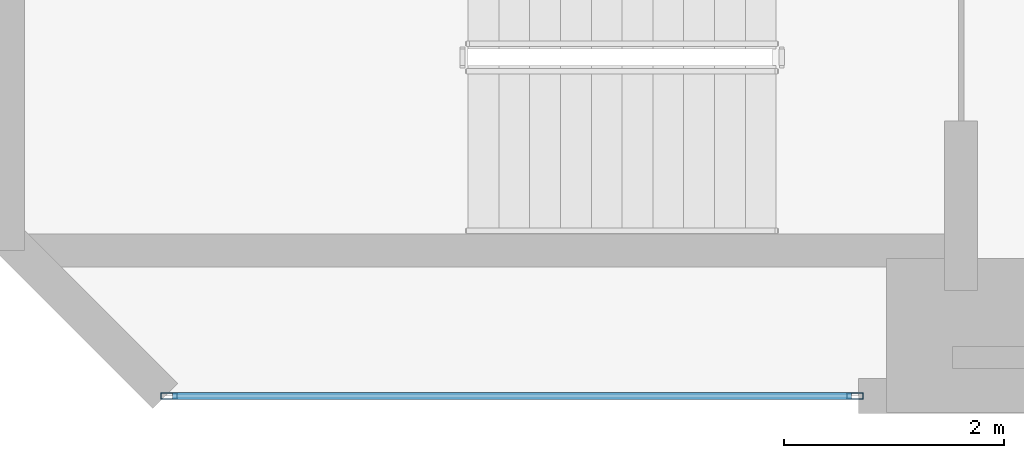
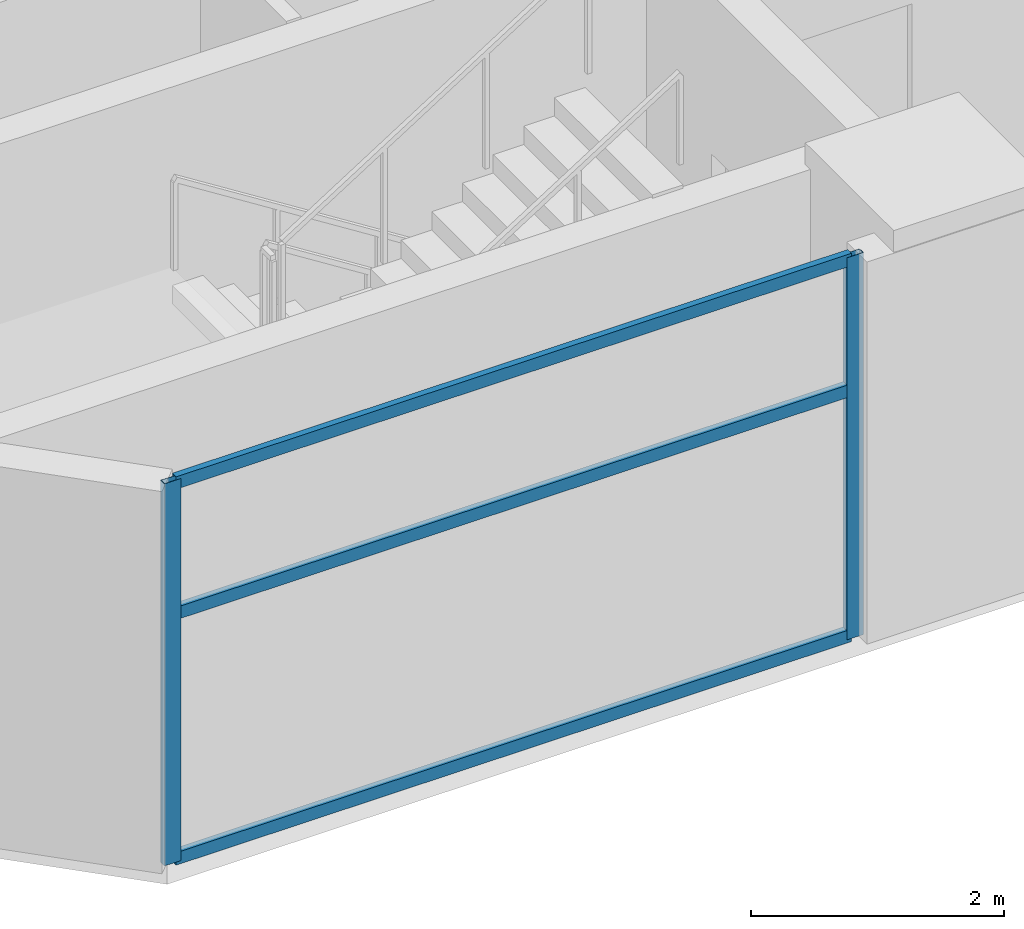
# One storey, part 2 of 16: 5 members, 1 element without a shape of its own.
"""IFC4 building model written with IfcOpenShell, lengths in metres."""

from ifc_helpers import new_model, si_unit, direction, frame, origin, origin_2d, place, context, subcontext, project, spatial, hollow_rectangle, extrude, material, layer, layer_set, material_profile, profile_set, type_object, element, aggregate, save


model = new_model("IFC4")

# Units and contexts
model_context = context("Model", 3, precision=1e-05, world=origin(), true_north=direction((0.0, 1.0)))
body_context = subcontext(model_context, "Body", "Model", "MODEL_VIEW")
ifc_project = project(units=[si_unit("LENGTHUNIT", "METRE"), si_unit("AREAUNIT", "SQUARE_METRE"), si_unit("VOLUMEUNIT", "CUBIC_METRE"), si_unit("PLANEANGLEUNIT", "RADIAN"), si_unit("MASSUNIT", "GRAM", prefix="KILO")], contexts=[model_context])

# Site, building, storey
site_placement = place(None, origin())
site = spatial("IfcSite", under=ifc_project, at=site_placement, CompositionType="ELEMENT")
building_placement = place(site_placement, origin())
building = spatial("IfcBuilding", under=site, at=building_placement, Name="Mawjaban Terraces University", CompositionType="ELEMENT")
storey_placement = place(building_placement, frame((0.0, 0.0, 38.800048828125)))
storey = spatial("IfcBuildingStorey", under=building, at=storey_placement, Name="L08", CompositionType="ELEMENT", Elevation=38.800048828125)

# Curtain wall, members
ifc_material_1 = material(Name="Anodised aluminium 6063-T6 and solar-control low-E glass", Category="aluminium")
ifc_layer = layer(ifc_material_1, 0.1650390625)
ifc_layer_set = layer_set([ifc_layer], Name="Anodised aluminium 6063-T6 and solar-control low-E glass")
curtain_wall_type = type_object("IfcCurtainWallType", Name="CWSystem_04_EastWing", PredefinedType="NOTDEFINED", material=ifc_layer_set)
curtain_wall_placement = place(storey_placement, origin())
curtain_wall = element("IfcCurtainWall", 1, at=curtain_wall_placement, inside=storey, type_object=curtain_wall_type, Name="L08 Curtain Wall CW-04 Run 1.1", PredefinedType="NOTDEFINED")
ifc_material_2 = material(Name="Anodised aluminium 6063-T6", Category="aluminium")
ifc_material_profile_1 = material_profile(ifc_material_2, hollow_rectangle(XDim=0.06005859375, YDim=0.14990234375, WallThickness=0.00390625, at=origin_2d()), Name="ALU150X60X4")
ifc_profile_set_1 = profile_set([ifc_material_profile_1], Name="Anodised aluminium 6063-T6")
member_type_1 = type_object("IfcMemberType", Name="Mullion_CW-04", PredefinedType="MULLION", material=ifc_profile_set_1)
member_1_placement = place(storey_placement, frame((24.532470703125, 0.0, 0.0), z_axis=(0.0, 0.0, 1.0), x_axis=(0.0, 1.0, 0.0)))
member_1 = element("IfcMember", 2, at=member_1_placement, type_object=member_type_1, Name="CW-04 mullion 1", PredefinedType="MULLION", context=body_context, shape_type="SweptSolid", body=[
    extrude(hollow_rectangle(XDim=0.06005859375, YDim=0.14990234375, WallThickness=0.00390625, at=origin_2d()), origin(), (0.0, 0.0, 1.0), 3.68994140625),
])
member_2_placement = place(storey_placement, frame((30.767578125, 0.0, 0.0), z_axis=(0.0, 0.0, 1.0), x_axis=(0.0, 1.0, 0.0)))
member_2 = element("IfcMember", 3, at=member_2_placement, type_object=member_type_1, Name="CW-04 mullion 2", PredefinedType="MULLION", context=body_context, shape_type="SweptSolid", body=[
    extrude(hollow_rectangle(XDim=0.06005859375, YDim=0.14990234375, WallThickness=0.00390625, at=origin_2d()), origin(), (0.0, 0.0, 1.0), 3.68994140625),
])
ifc_material_profile_2 = material_profile(ifc_material_2, hollow_rectangle(XDim=0.06005859375, YDim=0.1201171875, WallThickness=0.00341796875, at=origin_2d()), Name="ALU120X60X3.5")
ifc_profile_set_2 = profile_set([ifc_material_profile_2], Name="Anodised aluminium 6063-T6")
member_type_2 = type_object("IfcMemberType", Name="Transom_CW-04", PredefinedType="NOTDEFINED", material=ifc_profile_set_2)
member_3_placement = place(storey_placement, frame((24.56494140625, 0.0, 0.030029296875), z_axis=(1.0, 0.0, 0.0), x_axis=(0.0, 1.0, 0.0)))
member_3 = element("IfcMember", 4, at=member_3_placement, type_object=member_type_2, Name="CW-04 transom 1.1", ObjectType="TRANSOM", PredefinedType="USERDEFINED", context=body_context, shape_type="SweptSolid", body=[
    extrude(hollow_rectangle(XDim=0.06005859375, YDim=0.1201171875, WallThickness=0.00341796875, at=origin_2d()), origin(), (0.0, 0.0, 1.0), 6.170166015625),
])
member_4_placement = place(storey_placement, frame((24.56494140625, 0.0, 2.39892578125), z_axis=(1.0, 0.0, 0.0), x_axis=(0.0, 1.0, 0.0)))
member_4 = element("IfcMember", 5, at=member_4_placement, type_object=member_type_2, Name="CW-04 transom 1.2", ObjectType="TRANSOM", PredefinedType="USERDEFINED", context=body_context, shape_type="SweptSolid", body=[
    extrude(hollow_rectangle(XDim=0.06005859375, YDim=0.1201171875, WallThickness=0.00341796875, at=origin_2d()), origin(), (0.0, 0.0, 1.0), 6.170166015625),
])
member_5_placement = place(storey_placement, frame((24.56494140625, 0.0, 3.659912109375), z_axis=(1.0, 0.0, 0.0), x_axis=(0.0, 1.0, 0.0)))
member_5 = element("IfcMember", 6, at=member_5_placement, type_object=member_type_2, Name="CW-04 transom 1.3", ObjectType="TRANSOM", PredefinedType="USERDEFINED", context=body_context, shape_type="SweptSolid", body=[
    extrude(hollow_rectangle(XDim=0.06005859375, YDim=0.1201171875, WallThickness=0.00341796875, at=origin_2d()), origin(), (0.0, 0.0, 1.0), 6.170166015625),
])
aggregate(curtain_wall, [member_1, member_2, member_3, member_4, member_5])

save(model, "model.ifc")
